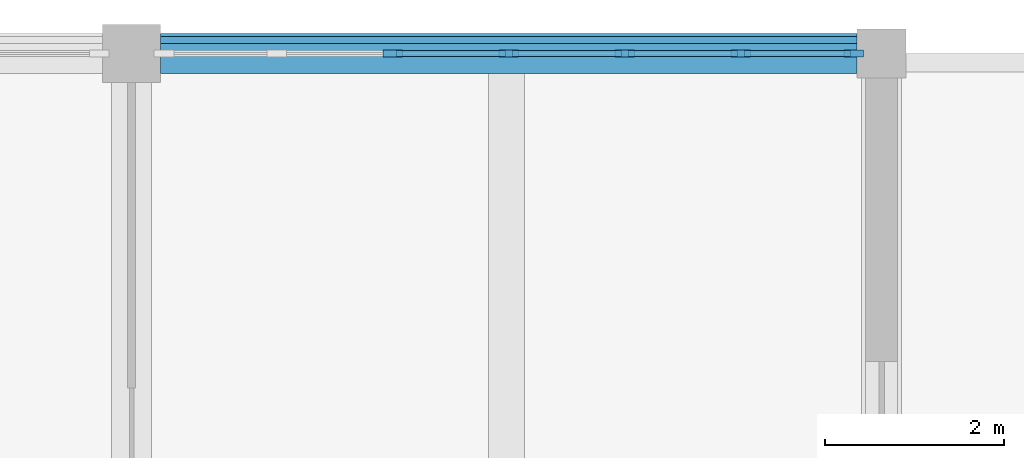
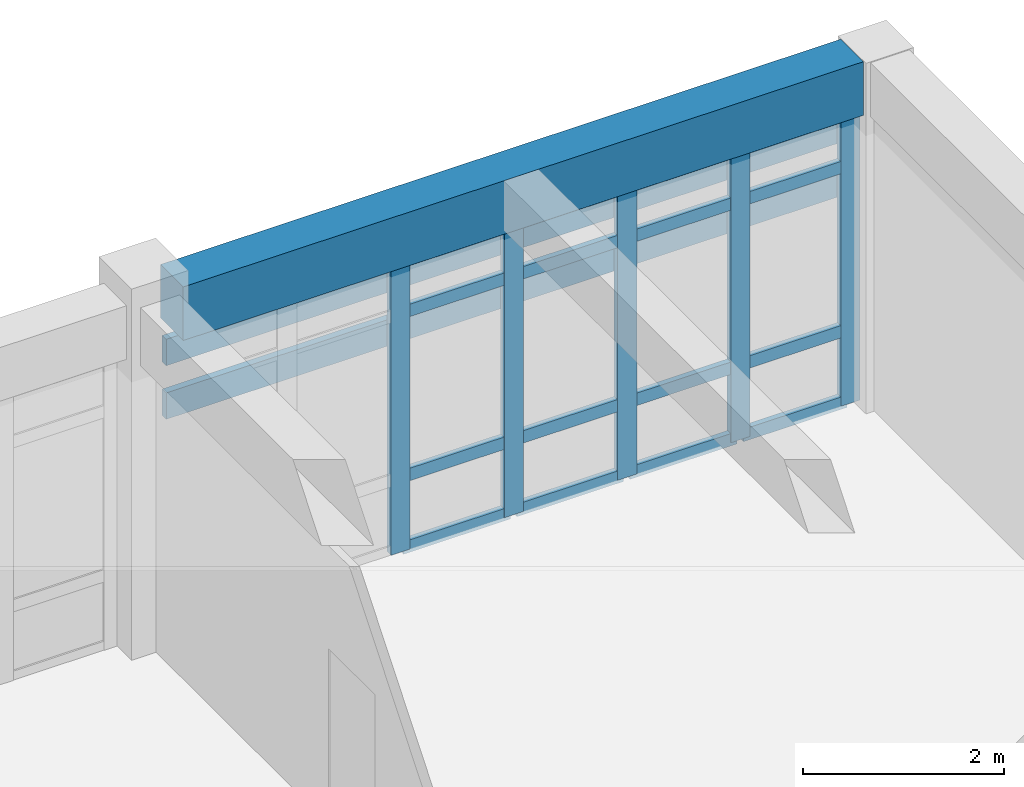
# One storey, part 41 of 78: 23 members, 1 beam, 1 element without a shape of its own.
"""IFC4 building model written with IfcOpenShell, lengths in metres."""

import ifcopenshell
import ifcopenshell.guid

model = None  # the IFC model being written
_history = None  # IfcOwnerHistory: only IFC2X3 demands one
_inside = {}  # id of a spatial element -> (the spatial element, [elements in it])
_under = {}  # id of a project, library or spatial element -> (it, [spatial elements below it])
_declared = {}  # id of a project -> (the project, [libraries it declares])
_typed = {}  # id of a type object -> (the type object, [elements of that type])
_made_of = {}  # id of a material, layer set ... -> (it, [elements and type objects made of it])


def new_model(schema):
    """Start an empty IFC model of exactly this schema.

    Asked for "IFC4X3", IfcOpenShell would pick the latest addendum, in which some entities
    have other attributes; the version numbers below select the first issue.
    IFC2X3 requires an IfcOwnerHistory on every rooted entity: one is made here for all.
    """
    global model, _history
    if schema == "IFC4X3":
        model = ifcopenshell.file(schema_version=(4, 3, 0, 0))
    else:
        model = ifcopenshell.file(schema=schema)
    _inside.clear()
    _under.clear()
    _declared.clear()
    _typed.clear()
    _made_of.clear()
    _history = None
    if model.schema == "IFC2X3":
        org = make("IfcOrganization", Name="unknown")
        user = make(
            "IfcPersonAndOrganization",
            ThePerson=make("IfcPerson", FamilyName="unknown"),
            TheOrganization=org,
        )
        app = make(
            "IfcApplication",
            ApplicationDeveloper=org,
            Version="unknown",
            ApplicationFullName="unknown",
            ApplicationIdentifier="unknown",
        )
        _history = make(
            "IfcOwnerHistory",
            OwningUser=user,
            OwningApplication=app,
            ChangeAction="ADDED",
            CreationDate=0,
        )
    return model


def make(cls, **values):
    """One entity of the class cls with the attributes given. An attribute that is None is left unset."""
    return model.create_entity(
        cls, **{name: value for name, value in values.items() if value is not None}
    )


def rooted(cls, **values):
    """An entity with a GlobalId (a new one), such as an element, a storey or a relation."""
    return make(cls, GlobalId=ifcopenshell.guid.new(), OwnerHistory=_history, **values)


def si_unit(unit_type, name, prefix=None):
    """IfcSIUnit, for example si_unit("LENGTHUNIT", "METRE", prefix="MILLI")."""
    return make("IfcSIUnit", UnitType=unit_type, Prefix=prefix, Name=name)


def assignment(units):
    """IfcUnitAssignment: the units of a project."""
    return None if units is None else make("IfcUnitAssignment", Units=units)


def point(xyz):
    """IfcCartesianPoint."""
    return None if xyz is None else make("IfcCartesianPoint", Coordinates=xyz)


def direction(xyz):
    """IfcDirection."""
    return None if xyz is None else make("IfcDirection", DirectionRatios=xyz)


def frame(location, z_axis=None, x_axis=None):
    """IfcAxis2Placement3D, a coordinate frame: its origin and axes. An axis left out is left unset."""
    return make(
        "IfcAxis2Placement3D",
        Location=point(location),
        Axis=direction(z_axis),
        RefDirection=direction(x_axis),
    )


def frame_2d(location, x_axis=None):
    """IfcAxis2Placement2D, a coordinate frame in the plane: its origin and x axis."""
    return make(
        "IfcAxis2Placement2D", Location=point(location), RefDirection=direction(x_axis)
    )


def origin():
    """The frame at (0, 0, 0) with its axes left unset."""
    return frame((0.0, 0.0, 0.0))


def origin_2d():
    """The frame at (0, 0) in the plane with its x axis left unset."""
    return frame_2d((0.0, 0.0))


def place(relative_to, where):
    """IfcLocalPlacement: puts the frame where relative to a parent placement (None: the world)."""
    return make(
        "IfcLocalPlacement", PlacementRelTo=relative_to, RelativePlacement=where
    )


def context(
    kind, dimensions, precision=None, world=None, true_north=None, identifier=None
):
    """IfcGeometricRepresentationContext, for example the 3D "Model" context."""
    return make(
        "IfcGeometricRepresentationContext",
        ContextIdentifier=identifier,
        ContextType=kind,
        CoordinateSpaceDimension=dimensions,
        Precision=precision,
        WorldCoordinateSystem=world,
        TrueNorth=true_north,
    )


def subcontext(parent, identifier, kind, view, scale=None):
    """IfcGeometricRepresentationSubContext, for example "Body" below "Model"."""
    return make(
        "IfcGeometricRepresentationSubContext",
        ContextIdentifier=identifier,
        ContextType=kind,
        ParentContext=parent,
        TargetScale=scale,
        TargetView=view,
    )


def project(units=None, contexts=None):
    """IfcProject with its units and contexts."""
    return rooted(
        "IfcProject",
        Name="project",
        RepresentationContexts=contexts,
        UnitsInContext=assignment(units),
    )


def spatial(cls, under=None, at=None, **own):
    """A site, building, storey or space (cls), placed at a placement, below another one or the project."""
    s = rooted(cls, ObjectPlacement=at, **own)
    if under is not None:
        _under.setdefault(under.id(), (under, []))[1].append(s)
    return s


def profile(cls, at=None, kind="AREA", **sizes):
    """A parametric profile (cls). Its sizes go by their IFC names, for example OverallWidth=200.0."""
    return make(cls, ProfileType=kind, Position=at, **sizes)


def rectangle(**sizes):
    """IfcRectangleProfileDef."""
    return profile("IfcRectangleProfileDef", **sizes)


def extrude(swept, where, along, depth):
    """IfcExtrudedAreaSolid: the profile swept, set in the frame where, extruded along a direction by depth."""
    return make(
        "IfcExtrudedAreaSolid",
        SweptArea=swept,
        Position=where,
        ExtrudedDirection=direction(along),
        Depth=depth,
    )


def shape(context_of_items, identifier, shape_type, items):
    """IfcShapeRepresentation: the items that make up one representation, for example the "Body"."""
    return make(
        "IfcShapeRepresentation",
        ContextOfItems=context_of_items,
        RepresentationIdentifier=identifier,
        RepresentationType=shape_type,
        Items=items,
    )


def material(Name=None, Category=None):
    """IfcMaterial."""
    return make("IfcMaterial", Name=Name, Category=Category)


def layer(
    of_material, thickness, ventilated=None, Name=None, Category=None, Priority=None
):
    """IfcMaterialLayer: one layer of a wall or slab, of a material (None: an air gap)."""
    return make(
        "IfcMaterialLayer",
        Material=of_material,
        LayerThickness=thickness,
        IsVentilated=ventilated,
        Name=Name,
        Category=Category,
        Priority=Priority,
    )


def layer_set(layers, Name=None):
    """IfcMaterialLayerSet."""
    return make("IfcMaterialLayerSet", MaterialLayers=layers, LayerSetName=Name)


def material_profile(
    of_material, cross_section, Name=None, Category=None, Priority=None
):
    """IfcMaterialProfile: a cross section and its material."""
    return make(
        "IfcMaterialProfile",
        Name=Name,
        Material=of_material,
        Profile=cross_section,
        Priority=Priority,
        Category=Category,
    )


def profile_set(profiles, Name=None, composite=None):
    """IfcMaterialProfileSet."""
    return make(
        "IfcMaterialProfileSet",
        Name=Name,
        MaterialProfiles=profiles,
        CompositeProfile=composite,
    )


def made_of(thing, what):
    """Note that an element or type object is made of a material, layer set ...; save() writes the relation."""
    if what is not None:
        _made_of.setdefault(what.id(), (what, []))[1].append(thing)
    return thing


def type_object(cls, material=None, **own):
    """A type object (cls), such as IfcWallType, which elements share."""
    return made_of(rooted(cls, **own), material)


def element(
    cls,
    number,
    at=None,
    inside=None,
    cuts=None,
    type_object=None,
    material=None,
    context=None,
    identifier="Body",
    shape_type=None,
    held_by="IfcProductDefinitionShape",
    body=None,
    shapes=None,
    **own,
):
    """One element of the class cls, such as IfcWall. Its Tag is "e" and its number.

    at: its placement. inside: the storey or other place that contains it. cuts: it is an
    opening in that element (IfcRelVoidsElement). A single representation is given by context,
    identifier, shape_type and body (its items); several are given by shapes. held_by: the class
    of the entity that holds the representations. save() writes the other relations.
    """
    e = rooted(cls, Tag="e%d" % number, ObjectPlacement=at, **own)
    if body is not None:
        shapes = [shape(context, identifier, shape_type, body)]
    if shapes is not None:
        e.Representation = make(held_by, Representations=shapes)
    if inside is not None:
        _inside.setdefault(inside.id(), (inside, []))[1].append(e)
    if cuts is not None:
        rooted(
            "IfcRelVoidsElement", RelatingBuildingElement=cuts, RelatedOpeningElement=e
        )
    if type_object is not None:
        _typed.setdefault(type_object.id(), (type_object, []))[1].append(e)
    return made_of(e, material)


def aggregate(whole, parts):
    """IfcRelAggregates: a whole, such as a stair, and the parts it consists of."""
    return rooted("IfcRelAggregates", RelatingObject=whole, RelatedObjects=parts)


def save(model, path):
    """Write the relations noted so far, then the file.

    IfcRelAggregates (storeys below a building ...), IfcRelContainedInSpatialStructure (elements
    in a storey), IfcRelDefinesByType, IfcRelAssociatesMaterial and IfcRelDeclares: one each for
    every whole, place, type object, material and project.
    """
    for whole, parts in _under.values():
        aggregate(whole, parts)
    for where, things in _inside.values():
        rooted(
            "IfcRelContainedInSpatialStructure",
            RelatedElements=things,
            RelatingStructure=where,
        )
    for kind, things in _typed.values():
        rooted("IfcRelDefinesByType", RelatedObjects=things, RelatingType=kind)
    for what, things in _made_of.values():
        rooted("IfcRelAssociatesMaterial", RelatedObjects=things, RelatingMaterial=what)
    for by, libraries in _declared.values():
        rooted("IfcRelDeclares", RelatingContext=by, RelatedDefinitions=libraries)
    model.write(path)


model = new_model("IFC4")

# Units and contexts
model_context = context("Model", 3, precision=1e-05, world=origin(), true_north=direction((0.0, 1.0)))
body_context = subcontext(model_context, "Body", "Model", "MODEL_VIEW")
ifc_project = project(units=[si_unit("LENGTHUNIT", "METRE"), si_unit("AREAUNIT", "SQUARE_METRE"), si_unit("VOLUMEUNIT", "CUBIC_METRE"), si_unit("PLANEANGLEUNIT", "RADIAN"), si_unit("MASSUNIT", "GRAM", prefix="KILO")], contexts=[model_context])

# Site, building, storey
site_placement = place(None, origin())
site = spatial("IfcSite", under=ifc_project, at=site_placement, CompositionType="ELEMENT")
building_placement = place(site_placement, origin())
building = spatial("IfcBuilding", under=site, at=building_placement, Name="Porcellanite Civic Hall", CompositionType="ELEMENT")
storey_placement = place(building_placement, frame((0.0, 0.0, 10.260009765625)))
storey = spatial("IfcBuildingStorey", under=building, at=storey_placement, Name="L02", CompositionType="ELEMENT", Elevation=10.260009765625)

# Beam
ifc_material_1 = material(Name="Concrete N50 (50 MPa)", Category="concrete")
ifc_material_profile_1 = material_profile(ifc_material_1, rectangle(XDim=0.449951171875, YDim=0.64990234375, at=origin_2d()), Name="RC-450x650")
ifc_profile_set_1 = profile_set([ifc_material_profile_1], Name="Concrete N50 (50 MPa)")
beam_type = type_object("IfcBeamType", Name="BM-RC650", PredefinedType="SPANDREL", material=ifc_profile_set_1)
beam_placement = place(storey_placement, frame((151.5244140625, 117.60009765625, 3.9150390625), z_axis=(1.0, 0.0, 0.0), x_axis=(0.0, 1.0, 0.0)))
element("IfcBeam", 1, at=beam_placement, inside=storey, type_object=beam_type, Name="Beam X L02 19-15", PredefinedType="SPANDREL", context=body_context, shape_type="SweptSolid", body=[
    extrude(rectangle(XDim=0.449951171875, YDim=0.64990234375, at=origin_2d()), origin(), (0.0, 0.0, 1.0), 7.801025390625),
])

# Curtain wall, members
ifc_material_2 = material(Name="Anodised aluminium and solar laminated glass", Category="aluminium")
ifc_layer = layer(ifc_material_2, 0.179931640625)
ifc_layer_set = layer_set([ifc_layer], Name="Anodised aluminium and solar laminated glass")
curtain_wall_type = type_object("IfcCurtainWallType", Name="CW-SYS02", PredefinedType="NOTDEFINED", material=ifc_layer_set)
curtain_wall_placement = place(storey_placement, origin())
curtain_wall = element("IfcCurtainWall", 2, at=curtain_wall_placement, inside=storey, type_object=curtain_wall_type, Name="Curtain wall CW-180", PredefinedType="NOTDEFINED")
ifc_material_3 = material(Name="Anodised aluminium 6063-T6", Category="aluminium")
ifc_material_profile_2 = material_profile(ifc_material_3, rectangle(XDim=0.074951171875, YDim=0.219970703125, at=origin_2d()), Name="AL-75x220")
ifc_profile_set_2 = profile_set([ifc_material_profile_2], Name="Anodised aluminium 6063-T6")
member_type_1 = type_object("IfcMemberType", Name="CWM-03", PredefinedType="MULLION", material=ifc_profile_set_2)
member_1_placement = place(storey_placement, frame((154.125244140625, 117.60009765625, 0.0), z_axis=(0.0, 0.0, 1.0), x_axis=(0.0, 1.0, 0.0)))
member_1 = element("IfcMember", 3, at=member_1_placement, type_object=member_type_1, Name="CW-180 mullion 3", PredefinedType="MULLION", context=body_context, shape_type="SweptSolid", body=[
    extrude(rectangle(XDim=0.074951171875, YDim=0.219970703125, at=origin_2d()), origin(), (0.0, 0.0, 1.0), 3.5400390625),
])
member_2_placement = place(storey_placement, frame((155.425048828125, 117.60009765625, 0.0), z_axis=(0.0, 0.0, 1.0), x_axis=(0.0, 1.0, 0.0)))
member_2 = element("IfcMember", 4, at=member_2_placement, type_object=member_type_1, Name="CW-180 mullion 4", PredefinedType="MULLION", context=body_context, shape_type="SweptSolid", body=[
    extrude(rectangle(XDim=0.074951171875, YDim=0.219970703125, at=origin_2d()), origin(), (0.0, 0.0, 1.0), 3.5400390625),
])
member_3_placement = place(storey_placement, frame((156.724609375, 117.60009765625, 0.0), z_axis=(0.0, 0.0, 1.0), x_axis=(0.0, 1.0, 0.0)))
member_3 = element("IfcMember", 5, at=member_3_placement, type_object=member_type_1, Name="CW-180 mullion 5", PredefinedType="MULLION", context=body_context, shape_type="SweptSolid", body=[
    extrude(rectangle(XDim=0.074951171875, YDim=0.219970703125, at=origin_2d()), origin(), (0.0, 0.0, 1.0), 3.5400390625),
])
member_4_placement = place(storey_placement, frame((158.0244140625, 117.60009765625, 0.0), z_axis=(0.0, 0.0, 1.0), x_axis=(0.0, 1.0, 0.0)))
member_4 = element("IfcMember", 6, at=member_4_placement, type_object=member_type_1, Name="CW-180 mullion 6", PredefinedType="MULLION", context=body_context, shape_type="SweptSolid", body=[
    extrude(rectangle(XDim=0.074951171875, YDim=0.219970703125, at=origin_2d()), origin(), (0.0, 0.0, 1.0), 3.5400390625),
])
member_5_placement = place(storey_placement, frame((159.28662109375, 117.60009765625, 0.0), z_axis=(0.0, 0.0, 1.0), x_axis=(0.0, 1.0, 0.0)))
member_5 = element("IfcMember", 7, at=member_5_placement, type_object=member_type_1, Name="CW-180 mullion 7", PredefinedType="MULLION", context=body_context, shape_type="SweptSolid", body=[
    extrude(rectangle(XDim=0.074951171875, YDim=0.219970703125, at=origin_2d()), origin(), (0.0, 0.0, 1.0), 3.5400390625),
])
ifc_material_4 = material(Name="Anodised aluminium 6063-T6", Category="aluminium")
ifc_material_profile_3 = material_profile(ifc_material_4, rectangle(XDim=0.06494140625, YDim=0.14990234375, at=origin_2d()), Name="AL-65x150")
ifc_profile_set_3 = profile_set([ifc_material_profile_3], Name="Anodised aluminium 6063-T6")
member_type_2 = type_object("IfcMemberType", Name="CWT-02", PredefinedType="USERDEFINED", material=ifc_profile_set_3)
member_6_placement = place(storey_placement, frame((154.162841796875, 117.60009765625, 0.032470703125), z_axis=(1.0, 0.0, 0.0), x_axis=(0.0, 1.0, 0.0)))
member_6 = element("IfcMember", 8, at=member_6_placement, type_object=member_type_2, Name="CW-180 transom 3.1", ObjectType="TRANSOM", PredefinedType="USERDEFINED", context=body_context, shape_type="SweptSolid", body=[
    extrude(rectangle(XDim=0.06494140625, YDim=0.14990234375, at=origin_2d()), origin(), (0.0, 0.0, 1.0), 1.224609375),
])
member_7_placement = place(storey_placement, frame((154.162841796875, 117.60009765625, 0.89990234375), z_axis=(1.0, 0.0, 0.0), x_axis=(0.0, 1.0, 0.0)))
member_7 = element("IfcMember", 9, at=member_7_placement, type_object=member_type_2, Name="CW-180 transom 3.2", ObjectType="TRANSOM", PredefinedType="USERDEFINED", context=body_context, shape_type="SweptSolid", body=[
    extrude(rectangle(XDim=0.06494140625, YDim=0.14990234375, at=origin_2d()), origin(), (0.0, 0.0, 1.0), 1.224609375),
])
member_8_placement = place(storey_placement, frame((154.162841796875, 117.60009765625, 2.889892578125), z_axis=(1.0, 0.0, 0.0), x_axis=(0.0, 1.0, 0.0)))
member_8 = element("IfcMember", 10, at=member_8_placement, type_object=member_type_2, Name="CW-180 transom 3.3", ObjectType="TRANSOM", PredefinedType="USERDEFINED", context=body_context, shape_type="SweptSolid", body=[
    extrude(rectangle(XDim=0.06494140625, YDim=0.14990234375, at=origin_2d()), origin(), (0.0, 0.0, 1.0), 1.224609375),
])
member_9_placement = place(storey_placement, frame((154.162841796875, 117.60009765625, 3.507568359375), z_axis=(1.0, 0.0, 0.0), x_axis=(0.0, 1.0, 0.0)))
member_9 = element("IfcMember", 11, at=member_9_placement, type_object=member_type_2, Name="CW-180 transom 3.4", ObjectType="TRANSOM", PredefinedType="USERDEFINED", context=body_context, shape_type="SweptSolid", body=[
    extrude(rectangle(XDim=0.06494140625, YDim=0.14990234375, at=origin_2d()), origin(), (0.0, 0.0, 1.0), 1.224609375),
])
member_10_placement = place(storey_placement, frame((155.46240234375, 117.60009765625, 0.032470703125), z_axis=(1.0, 0.0, 0.0), x_axis=(0.0, 1.0, 0.0)))
member_10 = element("IfcMember", 12, at=member_10_placement, type_object=member_type_2, Name="CW-180 transom 4.1", ObjectType="TRANSOM", PredefinedType="USERDEFINED", context=body_context, shape_type="SweptSolid", body=[
    extrude(rectangle(XDim=0.06494140625, YDim=0.14990234375, at=origin_2d()), origin(), (0.0, 0.0, 1.0), 1.224853515625),
])
member_11_placement = place(storey_placement, frame((155.46240234375, 117.60009765625, 0.89990234375), z_axis=(1.0, 0.0, 0.0), x_axis=(0.0, 1.0, 0.0)))
member_11 = element("IfcMember", 13, at=member_11_placement, type_object=member_type_2, Name="CW-180 transom 4.2", ObjectType="TRANSOM", PredefinedType="USERDEFINED", context=body_context, shape_type="SweptSolid", body=[
    extrude(rectangle(XDim=0.06494140625, YDim=0.14990234375, at=origin_2d()), origin(), (0.0, 0.0, 1.0), 1.224853515625),
])
member_12_placement = place(storey_placement, frame((155.46240234375, 117.60009765625, 2.889892578125), z_axis=(1.0, 0.0, 0.0), x_axis=(0.0, 1.0, 0.0)))
member_12 = element("IfcMember", 14, at=member_12_placement, type_object=member_type_2, Name="CW-180 transom 4.3", ObjectType="TRANSOM", PredefinedType="USERDEFINED", context=body_context, shape_type="SweptSolid", body=[
    extrude(rectangle(XDim=0.06494140625, YDim=0.14990234375, at=origin_2d()), origin(), (0.0, 0.0, 1.0), 1.224853515625),
])
member_13_placement = place(storey_placement, frame((155.46240234375, 117.60009765625, 3.507568359375), z_axis=(1.0, 0.0, 0.0), x_axis=(0.0, 1.0, 0.0)))
member_13 = element("IfcMember", 15, at=member_13_placement, type_object=member_type_2, Name="CW-180 transom 4.4", ObjectType="TRANSOM", PredefinedType="USERDEFINED", context=body_context, shape_type="SweptSolid", body=[
    extrude(rectangle(XDim=0.06494140625, YDim=0.14990234375, at=origin_2d()), origin(), (0.0, 0.0, 1.0), 1.224853515625),
])
member_14_placement = place(storey_placement, frame((156.76220703125, 117.60009765625, 0.032470703125), z_axis=(1.0, 0.0, 0.0), x_axis=(0.0, 1.0, 0.0)))
member_14 = element("IfcMember", 16, at=member_14_placement, type_object=member_type_2, Name="CW-180 transom 5.1", ObjectType="TRANSOM", PredefinedType="USERDEFINED", context=body_context, shape_type="SweptSolid", body=[
    extrude(rectangle(XDim=0.06494140625, YDim=0.14990234375, at=origin_2d()), origin(), (0.0, 0.0, 1.0), 1.224609375),
])
member_15_placement = place(storey_placement, frame((156.76220703125, 117.60009765625, 0.89990234375), z_axis=(1.0, 0.0, 0.0), x_axis=(0.0, 1.0, 0.0)))
member_15 = element("IfcMember", 17, at=member_15_placement, type_object=member_type_2, Name="CW-180 transom 5.2", ObjectType="TRANSOM", PredefinedType="USERDEFINED", context=body_context, shape_type="SweptSolid", body=[
    extrude(rectangle(XDim=0.06494140625, YDim=0.14990234375, at=origin_2d()), origin(), (0.0, 0.0, 1.0), 1.224609375),
])
member_16_placement = place(storey_placement, frame((156.76220703125, 117.60009765625, 2.889892578125), z_axis=(1.0, 0.0, 0.0), x_axis=(0.0, 1.0, 0.0)))
member_16 = element("IfcMember", 18, at=member_16_placement, type_object=member_type_2, Name="CW-180 transom 5.3", ObjectType="TRANSOM", PredefinedType="USERDEFINED", context=body_context, shape_type="SweptSolid", body=[
    extrude(rectangle(XDim=0.06494140625, YDim=0.14990234375, at=origin_2d()), origin(), (0.0, 0.0, 1.0), 1.224609375),
])
member_17_placement = place(storey_placement, frame((156.76220703125, 117.60009765625, 3.507568359375), z_axis=(1.0, 0.0, 0.0), x_axis=(0.0, 1.0, 0.0)))
member_17 = element("IfcMember", 19, at=member_17_placement, type_object=member_type_2, Name="CW-180 transom 5.4", ObjectType="TRANSOM", PredefinedType="USERDEFINED", context=body_context, shape_type="SweptSolid", body=[
    extrude(rectangle(XDim=0.06494140625, YDim=0.14990234375, at=origin_2d()), origin(), (0.0, 0.0, 1.0), 1.224609375),
])
member_18_placement = place(storey_placement, frame((158.061767578125, 117.60009765625, 0.032470703125), z_axis=(1.0, 0.0, 0.0), x_axis=(0.0, 1.0, 0.0)))
member_18 = element("IfcMember", 20, at=member_18_placement, type_object=member_type_2, Name="CW-180 transom 6.1", ObjectType="TRANSOM", PredefinedType="USERDEFINED", context=body_context, shape_type="SweptSolid", body=[
    extrude(rectangle(XDim=0.06494140625, YDim=0.14990234375, at=origin_2d()), origin(), (0.0, 0.0, 1.0), 1.187255859375),
])
member_19_placement = place(storey_placement, frame((158.061767578125, 117.60009765625, 0.89990234375), z_axis=(1.0, 0.0, 0.0), x_axis=(0.0, 1.0, 0.0)))
member_19 = element("IfcMember", 21, at=member_19_placement, type_object=member_type_2, Name="CW-180 transom 6.2", ObjectType="TRANSOM", PredefinedType="USERDEFINED", context=body_context, shape_type="SweptSolid", body=[
    extrude(rectangle(XDim=0.06494140625, YDim=0.14990234375, at=origin_2d()), origin(), (0.0, 0.0, 1.0), 1.187255859375),
])
member_20_placement = place(storey_placement, frame((158.061767578125, 117.60009765625, 2.889892578125), z_axis=(1.0, 0.0, 0.0), x_axis=(0.0, 1.0, 0.0)))
member_20 = element("IfcMember", 22, at=member_20_placement, type_object=member_type_2, Name="CW-180 transom 6.3", ObjectType="TRANSOM", PredefinedType="USERDEFINED", context=body_context, shape_type="SweptSolid", body=[
    extrude(rectangle(XDim=0.06494140625, YDim=0.14990234375, at=origin_2d()), origin(), (0.0, 0.0, 1.0), 1.187255859375),
])
member_21_placement = place(storey_placement, frame((158.061767578125, 117.60009765625, 3.507568359375), z_axis=(1.0, 0.0, 0.0), x_axis=(0.0, 1.0, 0.0)))
member_21 = element("IfcMember", 23, at=member_21_placement, type_object=member_type_2, Name="CW-180 transom 6.4", ObjectType="TRANSOM", PredefinedType="USERDEFINED", context=body_context, shape_type="SweptSolid", body=[
    extrude(rectangle(XDim=0.06494140625, YDim=0.14990234375, at=origin_2d()), origin(), (0.0, 0.0, 1.0), 1.187255859375),
])
aggregate(curtain_wall, [member_1, member_2, member_3, member_4, member_5, member_6, member_7, member_8, member_9, member_10, member_11, member_12, member_13, member_14, member_15, member_16, member_17, member_18, member_19, member_20, member_21])

# Members
ifc_material_5 = material(Name="Fluoropolymer bauxite-red aluminium 6063-T6", Category="aluminium")
ifc_material_profile_4 = material_profile(ifc_material_5, rectangle(XDim=0.080078125, YDim=0.320068359375, at=origin_2d()), Name="AL-80x320")
ifc_profile_set_4 = profile_set([ifc_material_profile_4], Name="Fluoropolymer bauxite-red aluminium 6063-T6")
member_type_3 = type_object("IfcMemberType", Name="LV-BLD03", PredefinedType="USERDEFINED", material=ifc_profile_set_4)
for number, where, z_axis, x_axis, name in (
    (24, (151.5244140625, 117.751953125, 3.239990234375), (1.0, 0.0, 0.0), (0.0, 1.0, 0.0), "Cyclone sunshade louvre L02 N 18-13 1"),
    (25, (151.5244140625, 117.751953125, 2.590087890625), (1.0, 0.0, 0.0), (0.0, 1.0, 0.0), "Cyclone sunshade louvre L02 N 18-13 2"),
):
    element("IfcMember", number, at=place(storey_placement, frame(where, z_axis=z_axis, x_axis=x_axis)), inside=storey, type_object=member_type_3, Name=name, ObjectType="LOUVRE BLADE", PredefinedType="USERDEFINED", context=body_context, shape_type="SweptSolid", body=[
        extrude(rectangle(XDim=0.080078125, YDim=0.320068359375, at=origin_2d()), origin(), (0.0, 0.0, 1.0), 7.801025390625),
    ])

save(model, "model.ifc")
